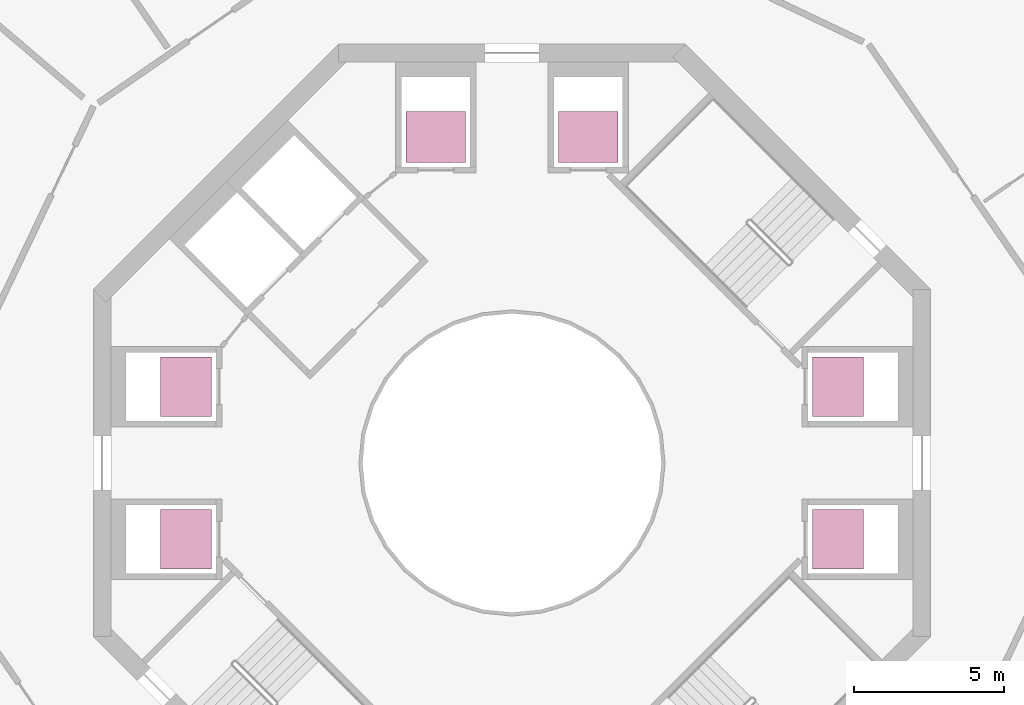
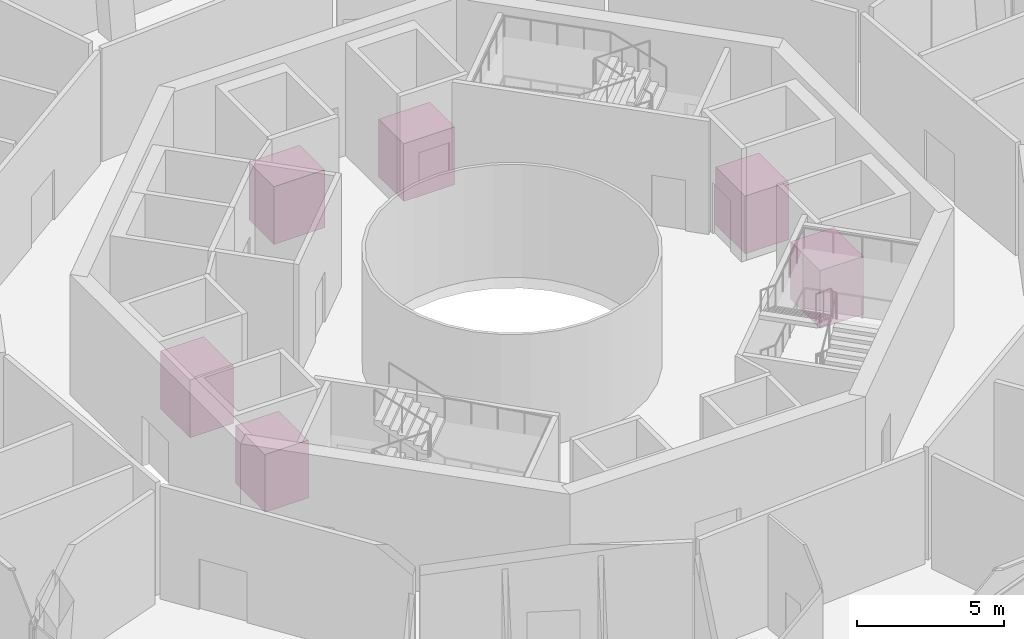
# One storey, part 21 of 21: 6 transport elements.
"""IFC4 building model written with IfcOpenShell, lengths in metres."""

from ifc_helpers import new_model, si_unit, direction, frame, origin, origin_2d, place, context, subcontext, project, spatial, rectangle, extrude, material, type_object, element, save


model = new_model("IFC4")

# Units and contexts
model_context = context("Model", 3, precision=1e-05, world=origin(), true_north=direction((0.0, 1.0)))
body_context = subcontext(model_context, "Body", "Model", "MODEL_VIEW")
ifc_project = project(units=[si_unit("LENGTHUNIT", "METRE"), si_unit("AREAUNIT", "SQUARE_METRE"), si_unit("VOLUMEUNIT", "CUBIC_METRE"), si_unit("PLANEANGLEUNIT", "RADIAN"), si_unit("MASSUNIT", "GRAM", prefix="KILO")], contexts=[model_context])

# Site, building, storey
site_placement = place(None, origin())
site = spatial("IfcSite", under=ifc_project, at=site_placement, CompositionType="ELEMENT")
building_placement = place(site_placement, origin())
building = spatial("IfcBuilding", under=site, at=building_placement, Name="Verdalira Terraces Hotel", CompositionType="ELEMENT")
storey_placement = place(building_placement, frame((0.0, 0.0, 175.0)))
storey = spatial("IfcBuildingStorey", under=building, at=storey_placement, Name="L42", CompositionType="ELEMENT", Elevation=175.0)

# Transport elements
ifc_material = material(Name="Stainless steel", Category="steel")
transport_element_type = type_object("IfcTransportElementType", Name="Passenger lift car 2000 x 1700", PredefinedType="ELEVATOR", material=ifc_material)
for number, where, z_axis, x_axis, name in (
    (1, (10.899902, -2.550049, 0.0), (0.0, 0.0, 1.0), (0.0, 1.0, 0.0), "Lift HR1"),
    (2, (10.899902, 2.550049, 0.0), (0.0, 0.0, 1.0), (0.0, 1.0, 0.0), "Lift HR2"),
    (3, (2.550049, 10.899902, 0.0), (0.0, 0.0, 1.0), (-1.0, 0.0, 0.0), "Lift HR3"),
    (4, (-2.550049, 10.899902, 0.0), (0.0, 0.0, 1.0), (-1.0, 0.0, 0.0), "Lift HR4"),
    (5, (-10.899902, 2.550049, 0.0), (0.0, 0.0, 1.0), (0.0, -1.0, 0.0), "Lift HR5"),
    (6, (-10.899902, -2.550049, 0.0), (0.0, 0.0, 1.0), (0.0, -1.0, 0.0), "Lift HR6"),
):
    element("IfcTransportElement", number, at=place(storey_placement, frame(where, z_axis=z_axis, x_axis=x_axis)), inside=storey, type_object=transport_element_type, Name=name, PredefinedType="ELEVATOR", context=body_context, shape_type="SweptSolid", body=[
        extrude(rectangle(XDim=2.0, YDim=1.699951, at=origin_2d()), origin(), (0.0, 0.0, 1.0), 2.399902),
    ])

save(model, "model.ifc")
